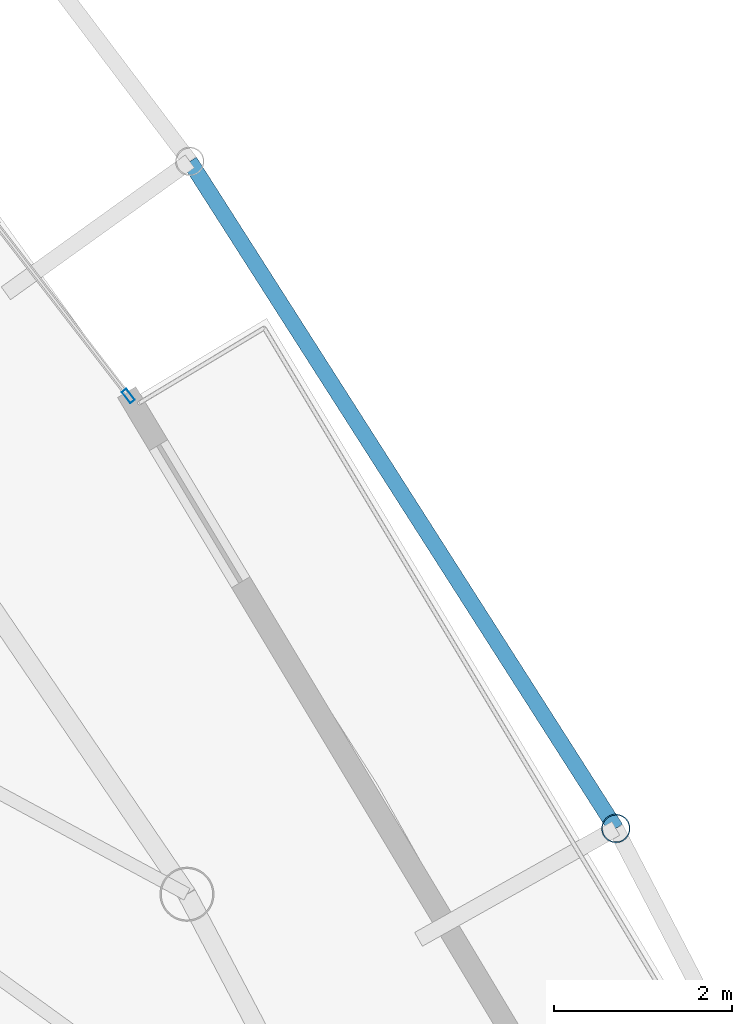
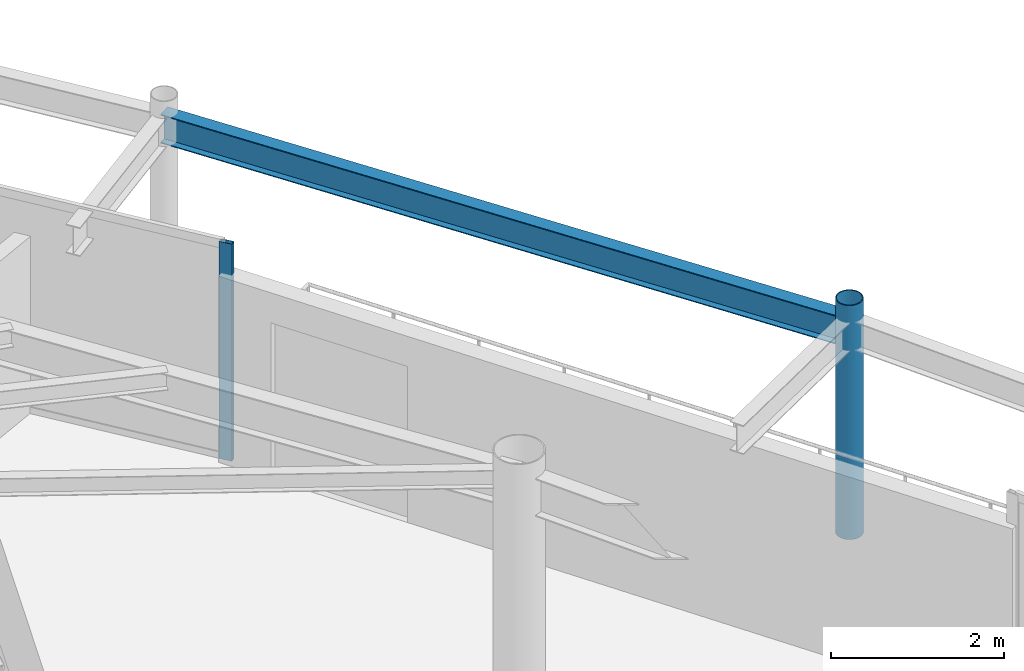
# One storey, part 22 of 34: 2 members, 1 beam, 1 element without a shape of its own.
"""IFC4 building model written with IfcOpenShell, lengths in metres."""

from ifc_helpers import new_model, si_unit, direction, frame, origin, origin_2d, place, context, subcontext, project, spatial, hollow_rectangle, hollow_circle, i_section, extrude, material, layer, layer_set, material_profile, profile_set, type_object, element, aggregate, save


model = new_model("IFC4")

# Units and contexts
model_context = context("Model", 3, precision=1e-05, world=origin(), true_north=direction((0.0, 1.0)))
body_context = subcontext(model_context, "Body", "Model", "MODEL_VIEW")
ifc_project = project(units=[si_unit("LENGTHUNIT", "METRE"), si_unit("AREAUNIT", "SQUARE_METRE"), si_unit("VOLUMEUNIT", "CUBIC_METRE"), si_unit("PLANEANGLEUNIT", "RADIAN"), si_unit("MASSUNIT", "GRAM", prefix="KILO")], contexts=[model_context])

# Site, building, storey
site_placement = place(None, origin())
site = spatial("IfcSite", under=ifc_project, at=site_placement, CompositionType="ELEMENT")
building_placement = place(site_placement, origin())
building = spatial("IfcBuilding", under=site, at=building_placement, Name="Orvanel Arch Residences", CompositionType="ELEMENT")
storey_placement = place(building_placement, frame((0.0, 0.0, 199.699951171875)))
storey = spatial("IfcBuildingStorey", under=building, at=storey_placement, Name="L56", CompositionType="ELEMENT", Elevation=199.699951171875)

# Curtain wall, member
ifc_material_1 = material(Name="Bronze-anodised aluminium AA6063-T6", Category="aluminium")
ifc_layer = layer(ifc_material_1, 0.175048828125)
ifc_layer_set = layer_set([ifc_layer], Name="Bronze-anodised aluminium AA6063-T6")
curtain_wall_type = type_object("IfcCurtainWallType", Name="CW4-HI-SYS", PredefinedType="NOTDEFINED", material=ifc_layer_set)
curtain_wall_placement = place(storey_placement, origin())
curtain_wall = element("IfcCurtainWall", 1, at=curtain_wall_placement, inside=storey, type_object=curtain_wall_type, Name="L56 CW4-HI-SYS Unitised Curtain Wall", PredefinedType="NOTDEFINED")
ifc_material_profile_1 = material_profile(ifc_material_1, hollow_rectangle(XDim=0.06494140625, YDim=0.159912109375, WallThickness=0.00390625, at=origin_2d()), Name="ALU160x65x4")
ifc_profile_set_1 = profile_set([ifc_material_profile_1], Name="Bronze-anodised aluminium AA6063-T6")
member_type_1 = type_object("IfcMemberType", Name="MUL-160x65", PredefinedType="MULLION", material=ifc_profile_set_1)
member_1_placement = place(storey_placement, frame((44.770263671875, 33.254638671875, 0.0), z_axis=(0.0, 0.0, 1.0), x_axis=(-0.792297867049, -0.610134485069, 0.0)))
member_1 = element("IfcMember", 2, at=member_1_placement, type_object=member_type_1, Name="CW-S4 mullion 1", PredefinedType="MULLION", context=body_context, shape_type="SweptSolid", body=[
    extrude(hollow_rectangle(XDim=0.06494140625, YDim=0.159912109375, WallThickness=0.00390625, at=origin_2d()), origin(), (0.0, 0.0, 1.0), 3.06005859375),
])
aggregate(curtain_wall, [member_1])

# Beam
ifc_material_2 = material(Name="Structural steel AS/NZS 3679.1 Grade 300 (300 MPa)", Category="steel")
ifc_material_profile_2 = material_profile(ifc_material_2, i_section(OverallWidth=0.177978515625, OverallDepth=0.406005859375, WebThickness=0.0078125, FlangeThickness=0.0126953125, at=origin_2d()), Name="410UB59.7")
ifc_profile_set_2 = profile_set([ifc_material_profile_2], Name="Structural steel AS/NZS 3679.1 Grade 300 (300 MPa)")
beam_type = type_object("IfcBeamType", Name="OB-410UB-EXT", PredefinedType="SPANDREL", material=ifc_profile_set_2)
beam_placement = place(storey_placement, frame((50.261962890625, 28.382080078125, 2.85693359375), z_axis=(-0.538270976502, 0.842771829059, 0.0), x_axis=(-0.842771829059, -0.538270976502, 0.0)))
element("IfcBeam", 3, at=beam_placement, inside=storey, type_object=beam_type, Name="L56 Outer Perimeter Floor Ring Beam 10", PredefinedType="SPANDREL", context=body_context, shape_type="SweptSolid", body=[
    extrude(i_section(OverallWidth=0.177978515625, OverallDepth=0.406005859375, WebThickness=0.0078125, FlangeThickness=0.0126953125, at=origin_2d()), origin(), (0.0, 0.0, 1.0), 8.915771484375),
])

# Member
ifc_material_3 = material(Name="Structural steel AS/NZS 1163 C350L0 (Grade 350)", Category="steel")
ifc_material_profile_3 = material_profile(ifc_material_3, hollow_circle(Radius=0.162109375, WallThickness=0.0126953125, at=origin_2d()), Name="CHS324x12.7")
ifc_profile_set_3 = profile_set([ifc_material_profile_3], Name="Structural steel AS/NZS 1163 C350L0 (Grade 350)")
member_type_2 = type_object("IfcMemberType", Name="ST-324CHS-EXT", PredefinedType="STRUT", material=ifc_profile_set_3)
member_2_placement = place(storey_placement, frame((50.261962890625, 28.382080078125, 0.0), z_axis=(0.0, 0.0, 1.0), x_axis=(1.0, 0.0, 0.0)))
element("IfcMember", 4, at=member_2_placement, inside=storey, type_object=member_type_2, Name="L56 Outer Perimeter Frame Post 10", PredefinedType="STRUT", context=body_context, shape_type="SweptSolid", body=[
    extrude(hollow_circle(Radius=0.162109375, WallThickness=0.0126953125, at=origin_2d()), origin(), (0.0, 0.0, 1.0), 3.300048828125),
])

save(model, "model.ifc")
